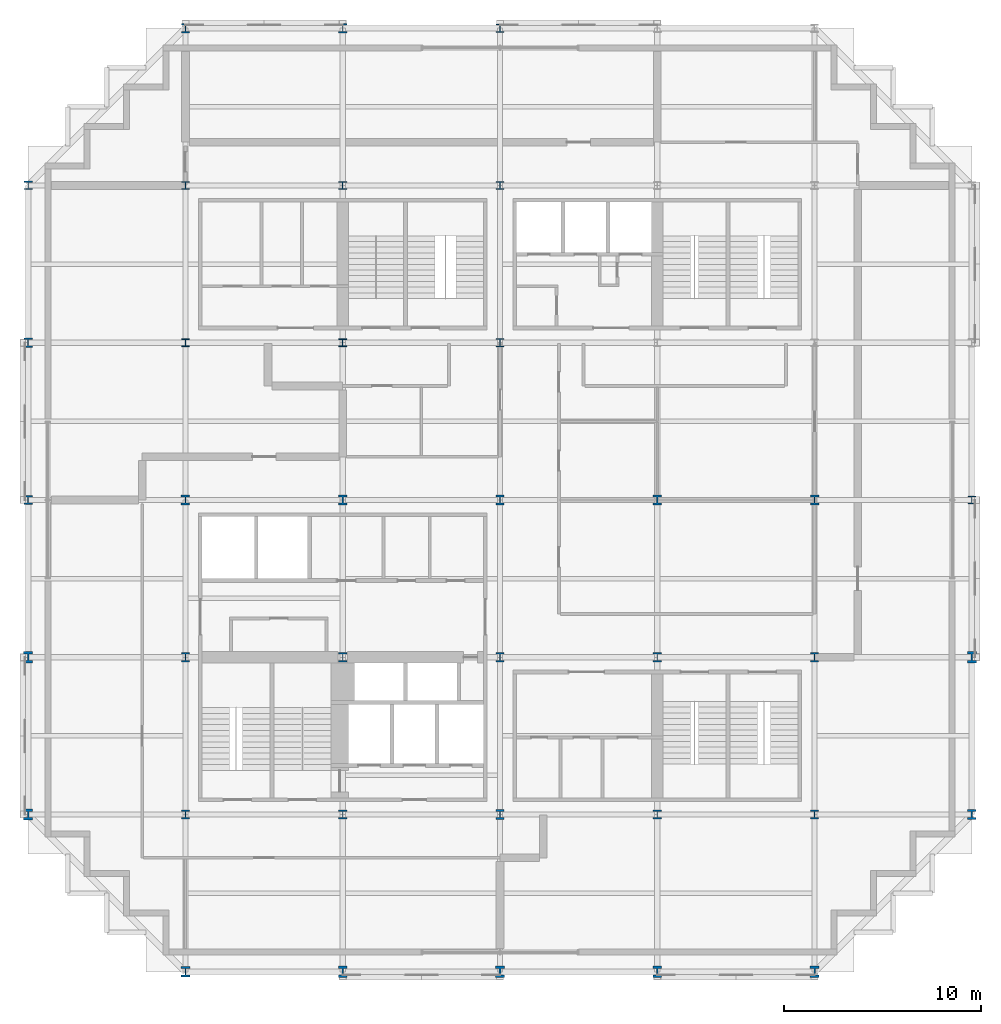
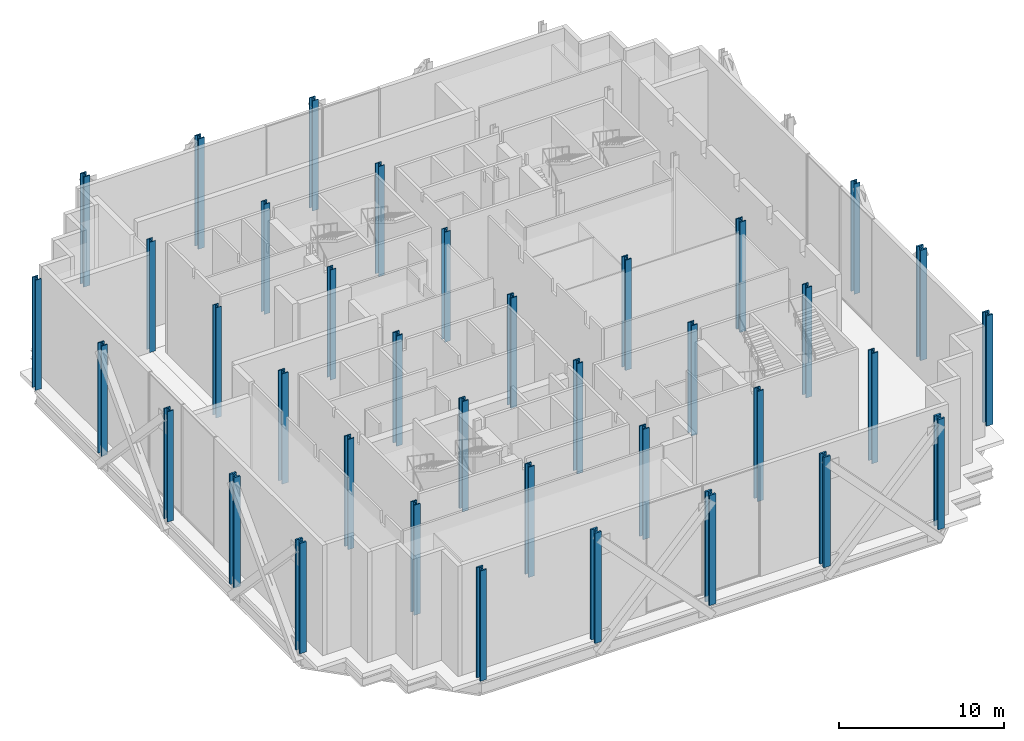
# One storey, part 1 of 13: 37 columns.
"""IFC4 building model written with IfcOpenShell, lengths in metres."""

from ifc_helpers import new_model, si_unit, direction, frame, origin, origin_2d, place, context, subcontext, project, spatial, i_section, extrude, material, material_profile, profile_set, type_object, element, save


model = new_model("IFC4")

# Units and contexts
model_context = context("Model", 3, precision=1e-05, world=origin(), true_north=direction((0.0, 1.0)))
body_context = subcontext(model_context, "Body", "Model", "MODEL_VIEW")
ifc_project = project(units=[si_unit("LENGTHUNIT", "METRE"), si_unit("AREAUNIT", "SQUARE_METRE"), si_unit("VOLUMEUNIT", "CUBIC_METRE"), si_unit("PLANEANGLEUNIT", "RADIAN"), si_unit("MASSUNIT", "GRAM", prefix="KILO")], contexts=[model_context])

# Site, building, storey
site_placement = place(None, origin())
site = spatial("IfcSite", under=ifc_project, at=site_placement, CompositionType="ELEMENT")
building_placement = place(site_placement, origin())
building = spatial("IfcBuilding", under=site, at=building_placement, Name="Immortelle Media Tower", CompositionType="ELEMENT")
storey_placement = place(building_placement, frame((0.0, 0.0, 21.0)))
storey = spatial("IfcBuildingStorey", under=building, at=storey_placement, Name="L02", CompositionType="ELEMENT", Elevation=21.0)

# Columns
ifc_material = material(Name="Steel ASTM A992 Gr 50", Category="steel")
ifc_material_profile_1 = material_profile(ifc_material, i_section(OverallWidth=0.40087890625, OverallDepth=0.39892578125, WebThickness=0.02490234375, FlangeThickness=0.0400390625, at=origin_2d()), Name="W14x211")
ifc_profile_set_1 = profile_set([ifc_material_profile_1], Name="Steel ASTM A992 Gr 50")
column_type_1 = type_object("IfcColumnType", Name="W14x211 column", PredefinedType="COLUMN", material=ifc_profile_set_1)
for number, where, z_axis, x_axis, name in (
    (1, (8.0, 32.0, 0.0), (0.0, 0.0, 1.0), (1.0, 0.0, 0.0), "Column 2/E"),
    (2, (8.0, 40.0, 0.0), (0.0, 0.0, 1.0), (1.0, 0.0, 0.0), "Column 2/F"),
    (3, (16.0, 32.0, 0.0), (0.0, 0.0, 1.0), (1.0, 0.0, 0.0), "Column 3/E"),
    (4, (16.0, 40.0, 0.0), (0.0, 0.0, 1.0), (1.0, 0.0, 0.0), "Column 3/F"),
):
    element("IfcColumn", number, at=place(storey_placement, frame(where, z_axis=z_axis, x_axis=x_axis)), inside=storey, type_object=column_type_1, Name=name, PredefinedType="COLUMN", context=body_context, shape_type="SweptSolid", body=[
        extrude(i_section(OverallWidth=0.40087890625, OverallDepth=0.39892578125, WebThickness=0.02490234375, FlangeThickness=0.0400390625, at=origin_2d()), origin(), (0.0, 0.0, 1.0), 8.14990234375),
    ])
ifc_material_profile_2 = material_profile(ifc_material, i_section(OverallWidth=0.406005859375, OverallDepth=0.4169921875, WebThickness=0.030029296875, FlangeThickness=0.048095703125, at=origin_2d()), Name="W14x257")
ifc_profile_set_2 = profile_set([ifc_material_profile_2], Name="Steel ASTM A992 Gr 50")
column_type_2 = type_object("IfcColumnType", Name="W14x257 column", PredefinedType="COLUMN", material=ifc_profile_set_2)
for number, where, z_axis, x_axis, name in (
    (5, (24.0, 32.0, 0.0), (0.0, 0.0, 1.0), (1.0, 0.0, 0.0), "Column 4/E"),
    (6, (24.0, 40.0, 0.0), (0.0, 0.0, 1.0), (1.0, 0.0, 0.0), "Column 4/F"),
    (7, (24.0, 48.0, 0.0), (0.0, 0.0, 1.0), (1.0, 0.0, 0.0), "Column 4/G"),
    (8, (48.0, 24.0, 0.0), (0.0, 0.0, 1.0), (1.0, 0.0, 0.0), "Column 7/D"),
):
    element("IfcColumn", number, at=place(storey_placement, frame(where, z_axis=z_axis, x_axis=x_axis)), inside=storey, type_object=column_type_2, Name=name, PredefinedType="COLUMN", context=body_context, shape_type="SweptSolid", body=[
        extrude(i_section(OverallWidth=0.406005859375, OverallDepth=0.4169921875, WebThickness=0.030029296875, FlangeThickness=0.048095703125, at=origin_2d()), origin(), (0.0, 0.0, 1.0), 8.14990234375),
    ])
ifc_material_profile_3 = material_profile(ifc_material, i_section(OverallWidth=0.410888671875, OverallDepth=0.43408203125, WebThickness=0.035888671875, FlangeThickness=0.056884765625, at=origin_2d()), Name="W14x311")
ifc_profile_set_3 = profile_set([ifc_material_profile_3], Name="Steel ASTM A992 Gr 50")
column_type_3 = type_object("IfcColumnType", Name="W14x311 column", PredefinedType="COLUMN", material=ifc_profile_set_3)
column_placement = place(storey_placement, frame((0.0, 40.0, 0.0), z_axis=(0.0, 0.0, 1.0), x_axis=(1.0, 0.0, 0.0)))
element("IfcColumn", 9, at=column_placement, inside=storey, type_object=column_type_3, Name="Column 1/F", PredefinedType="COLUMN", context=body_context, shape_type="SweptSolid", body=[
    extrude(i_section(OverallWidth=0.410888671875, OverallDepth=0.43408203125, WebThickness=0.035888671875, FlangeThickness=0.056884765625, at=origin_2d()), origin(), (0.0, 0.0, 1.0), 8.14990234375),
])
ifc_material_profile_4 = material_profile(ifc_material, i_section(OverallWidth=0.424072265625, OverallDepth=0.47509765625, WebThickness=0.048095703125, FlangeThickness=0.076904296875, at=origin_2d()), Name="W14x426")
ifc_profile_set_4 = profile_set([ifc_material_profile_4], Name="Steel ASTM A992 Gr 50")
column_type_4 = type_object("IfcColumnType", Name="W14x426 column", PredefinedType="COLUMN", material=ifc_profile_set_4)
for number, where, z_axis, x_axis, name in (
    (10, (0.0, 24.0, 0.0), (0.0, 0.0, 1.0), (1.0, 0.0, 0.0), "Column 1/D"),
    (11, (0.0, 32.0, 0.0), (0.0, 0.0, 1.0), (1.0, 0.0, 0.0), "Column 1/E"),
    (12, (8.0, 8.0, 0.0), (0.0, 0.0, 1.0), (1.0, 0.0, 0.0), "Column 2/B"),
    (13, (8.0, 16.0, 0.0), (0.0, 0.0, 1.0), (1.0, 0.0, 0.0), "Column 2/C"),
    (14, (8.0, 48.0, 0.0), (0.0, 0.0, 1.0), (1.0, 0.0, 0.0), "Column 2/G"),
    (15, (16.0, 8.0, 0.0), (0.0, 0.0, 1.0), (1.0, 0.0, 0.0), "Column 3/B"),
    (16, (16.0, 16.0, 0.0), (0.0, 0.0, 1.0), (1.0, 0.0, 0.0), "Column 3/C"),
    (17, (16.0, 48.0, 0.0), (0.0, 0.0, 1.0), (1.0, 0.0, 0.0), "Column 3/G"),
    (18, (32.0, 8.0, 0.0), (0.0, 0.0, 1.0), (1.0, 0.0, 0.0), "Column 5/B"),
    (19, (32.0, 16.0, 0.0), (0.0, 0.0, 1.0), (1.0, 0.0, 0.0), "Column 5/C"),
    (20, (40.0, 8.0, 0.0), (0.0, 0.0, 1.0), (1.0, 0.0, 0.0), "Column 6/B"),
    (21, (40.0, 16.0, 0.0), (0.0, 0.0, 1.0), (1.0, 0.0, 0.0), "Column 6/C"),
):
    element("IfcColumn", number, at=place(storey_placement, frame(where, z_axis=z_axis, x_axis=x_axis)), inside=storey, type_object=column_type_4, Name=name, PredefinedType="COLUMN", context=body_context, shape_type="SweptSolid", body=[
        extrude(i_section(OverallWidth=0.424072265625, OverallDepth=0.47509765625, WebThickness=0.048095703125, FlangeThickness=0.076904296875, at=origin_2d()), origin(), (0.0, 0.0, 1.0), 8.14990234375),
    ])
ifc_material_profile_5 = material_profile(ifc_material, i_section(OverallWidth=0.431884765625, OverallDepth=0.498046875, WebThickness=0.055908203125, FlangeThickness=0.089111328125, at=origin_2d()), Name="W14x500")
ifc_profile_set_5 = profile_set([ifc_material_profile_5], Name="Steel ASTM A992 Gr 50")
column_type_5 = type_object("IfcColumnType", Name="W14x500 column", PredefinedType="COLUMN", material=ifc_profile_set_5)
for number, where, z_axis, x_axis, name in (
    (22, (8.0, 24.0, 0.0), (0.0, 0.0, 1.0), (1.0, 0.0, 0.0), "Column 2/D"),
    (23, (16.0, 24.0, 0.0), (0.0, 0.0, 1.0), (1.0, 0.0, 0.0), "Column 3/D"),
    (24, (24.0, 8.0, 0.0), (0.0, 0.0, 1.0), (1.0, 0.0, 0.0), "Column 4/B"),
    (25, (24.0, 16.0, 0.0), (0.0, 0.0, 1.0), (1.0, 0.0, 0.0), "Column 4/C"),
    (26, (24.0, 24.0, 0.0), (0.0, 0.0, 1.0), (1.0, 0.0, 0.0), "Column 4/D"),
    (27, (32.0, 24.0, 0.0), (0.0, 0.0, 1.0), (1.0, 0.0, 0.0), "Column 5/D"),
    (28, (40.0, 24.0, 0.0), (0.0, 0.0, 1.0), (1.0, 0.0, 0.0), "Column 6/D"),
):
    element("IfcColumn", number, at=place(storey_placement, frame(where, z_axis=z_axis, x_axis=x_axis)), inside=storey, type_object=column_type_5, Name=name, PredefinedType="COLUMN", context=body_context, shape_type="SweptSolid", body=[
        extrude(i_section(OverallWidth=0.431884765625, OverallDepth=0.498046875, WebThickness=0.055908203125, FlangeThickness=0.089111328125, at=origin_2d()), origin(), (0.0, 0.0, 1.0), 8.14990234375),
    ])
ifc_material_profile_6 = material_profile(ifc_material, i_section(OverallWidth=0.44189453125, OverallDepth=0.531005859375, WebThickness=0.06591796875, FlangeThickness=0.10595703125, at=origin_2d()), Name="W14x605")
ifc_profile_set_6 = profile_set([ifc_material_profile_6], Name="Steel ASTM A992 Gr 50")
column_type_6 = type_object("IfcColumnType", Name="W14x605 column", PredefinedType="COLUMN", material=ifc_profile_set_6)
for number, where, z_axis, x_axis, name in (
    (29, (8.0, 0.0, 0.0), (0.0, 0.0, 1.0), (1.0, 0.0, 0.0), "Column 2/A"),
    (30, (48.0, 8.0, 0.0), (0.0, 0.0, 1.0), (1.0, 0.0, 0.0), "Column 7/B"),
):
    element("IfcColumn", number, at=place(storey_placement, frame(where, z_axis=z_axis, x_axis=x_axis)), inside=storey, type_object=column_type_6, Name=name, PredefinedType="COLUMN", context=body_context, shape_type="SweptSolid", body=[
        extrude(i_section(OverallWidth=0.44189453125, OverallDepth=0.531005859375, WebThickness=0.06591796875, FlangeThickness=0.10595703125, at=origin_2d()), origin(), (0.0, 0.0, 1.0), 8.14990234375),
    ])
ifc_material_profile_7 = material_profile(ifc_material, i_section(OverallWidth=0.455078125, OverallDepth=0.569091796875, WebThickness=0.077880859375, FlangeThickness=0.125, at=origin_2d()), Name="W14x730")
ifc_profile_set_7 = profile_set([ifc_material_profile_7], Name="Steel ASTM A992 Gr 50")
column_type_7 = type_object("IfcColumnType", Name="W14x730 column", PredefinedType="COLUMN", material=ifc_profile_set_7)
for number, where, z_axis, x_axis, name in (
    (31, (0.0, 8.0, 0.0), (0.0, 0.0, 1.0), (1.0, 0.0, 0.0), "Column 1/B"),
    (32, (0.0, 16.0, 0.0), (0.0, 0.0, 1.0), (1.0, 0.0, 0.0), "Column 1/C"),
    (33, (16.0, 0.0, 0.0), (0.0, 0.0, 1.0), (1.0, 0.0, 0.0), "Column 3/A"),
    (34, (24.0, 0.0, 0.0), (0.0, 0.0, 1.0), (1.0, 0.0, 0.0), "Column 4/A"),
    (35, (32.0, 0.0, 0.0), (0.0, 0.0, 1.0), (1.0, 0.0, 0.0), "Column 5/A"),
    (36, (40.0, 0.0, 0.0), (0.0, 0.0, 1.0), (1.0, 0.0, 0.0), "Column 6/A"),
    (37, (48.0, 16.0, 0.0), (0.0, 0.0, 1.0), (1.0, 0.0, 0.0), "Column 7/C"),
):
    element("IfcColumn", number, at=place(storey_placement, frame(where, z_axis=z_axis, x_axis=x_axis)), inside=storey, type_object=column_type_7, Name=name, PredefinedType="COLUMN", context=body_context, shape_type="SweptSolid", body=[
        extrude(i_section(OverallWidth=0.455078125, OverallDepth=0.569091796875, WebThickness=0.077880859375, FlangeThickness=0.125, at=origin_2d()), origin(), (0.0, 0.0, 1.0), 8.14990234375),
    ])

save(model, "model.ifc")
